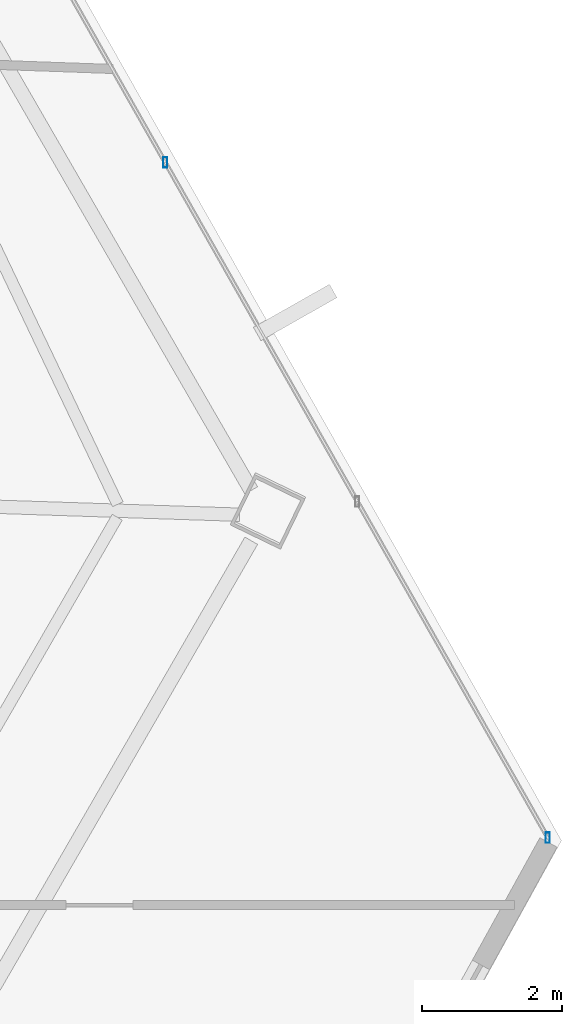
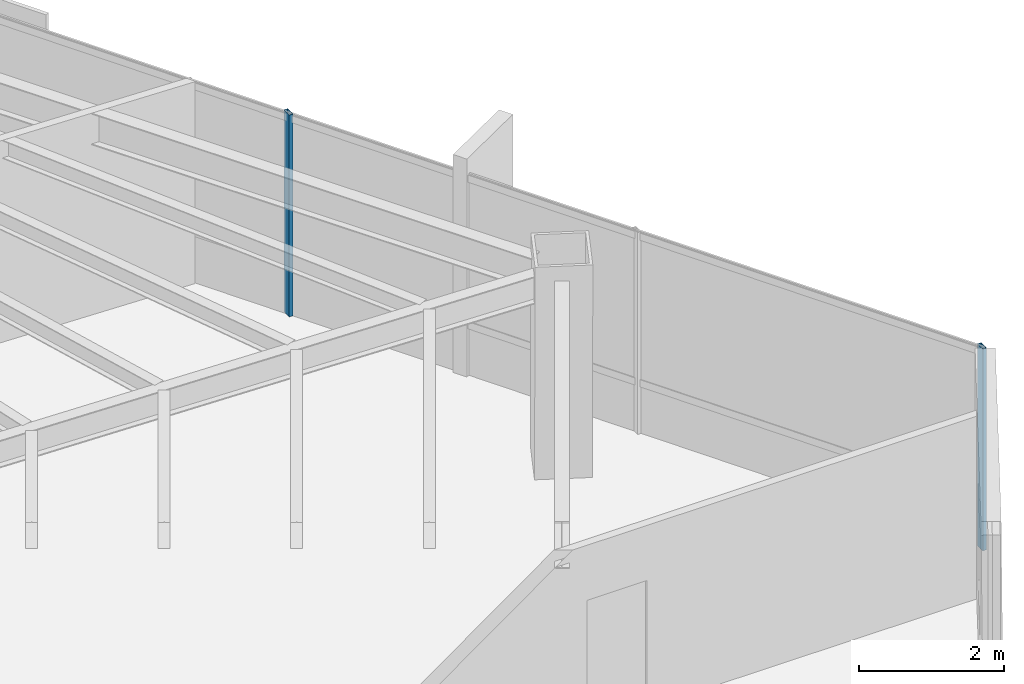
# One storey, part 24 of 41: 2 members, 1 element without a shape of its own.
"""IFC4 building model written with IfcOpenShell, lengths in metres."""

from ifc_helpers import new_model, si_unit, direction, frame, origin, origin_2d, place, context, subcontext, project, spatial, hollow_rectangle, extrude, source, transform, mapped, material, material_profile, profile_set, type_object, type_shapes, element, aggregate, save


model = new_model("IFC4")

# Units and contexts
model_context = context("Model", 3, precision=1e-05, world=origin(), true_north=direction((0.0, 1.0)))
body_context = subcontext(model_context, "Body", "Model", "MODEL_VIEW")
ifc_project = project(units=[si_unit("LENGTHUNIT", "METRE"), si_unit("AREAUNIT", "SQUARE_METRE"), si_unit("VOLUMEUNIT", "CUBIC_METRE"), si_unit("PLANEANGLEUNIT", "RADIAN"), si_unit("MASSUNIT", "GRAM", prefix="KILO")], contexts=[model_context])

# Site, building, storey
site_placement = place(None, origin())
site = spatial("IfcSite", under=ifc_project, at=site_placement, CompositionType="ELEMENT")
building_placement = place(site_placement, origin())
building = spatial("IfcBuilding", under=site, at=building_placement, Name="Caelisora Broadcast Tower", CompositionType="ELEMENT")
storey_placement = place(building_placement, frame((0.0, 0.0, 209.60009765625)))
storey = spatial("IfcBuildingStorey", under=building, at=storey_placement, Name="L55", CompositionType="ELEMENT", Elevation=209.60009765625)

# Curtain wall, members
ifc_material_1 = material(Name="Unitised Aluminium and Low-E Glass Curtain Wall", Category="glass")
curtain_wall_type = type_object("IfcCurtainWallType", Name="CW-Z4", PredefinedType="NOTDEFINED", material=ifc_material_1)
curtain_wall_placement = place(storey_placement, origin())
curtain_wall = element("IfcCurtainWall", 1, at=curtain_wall_placement, inside=storey, type_object=curtain_wall_type, Name="L55 curtain wall CW-Z4", PredefinedType="NOTDEFINED")
ifc_material_2 = material(Name="Aluminium 6063-T6 Anodised Terracotta Bronze", Category="aluminium")
ifc_material_profile = material_profile(ifc_material_2, hollow_rectangle(XDim=0.06005859375, YDim=0.14990234375, WallThickness=0.00341796875, at=origin_2d()), Name="Aluminium 6063-T6 Anodised Terracotta Bronze")
ifc_profile_set = profile_set([ifc_material_profile], Name="Aluminium 6063-T6 Anodised Terracotta Bronze")
member_type = type_object("IfcMemberType", Name="CWM-03", PredefinedType="MULLION", material=ifc_profile_set)
shared_shape = source(origin(), body_context, "Body", "SweptSolid", [
    extrude(hollow_rectangle(XDim=0.06005859375, YDim=0.14990234375, WallThickness=0.00341796875, at=origin_2d()), origin(), (0.0, 0.0, 1.0), 3.39990234375),
])
type_shapes(member_type, [shared_shape])
member_1_placement = place(storey_placement, frame((58.5703125, 21.9775390625, 0.0), z_axis=(0.0, 0.0, 1.0), x_axis=(1.0, 0.0, 0.0)))
member_1 = element("IfcMember", 2, at=member_1_placement, type_object=member_type, Name="L55-CW-B03 mullion #1", PredefinedType="MULLION", context=body_context, shape_type="MappedRepresentation", body=[
    mapped(shared_shape, transform((0.0, 0.0, 0.0), scale=1.0)),
])
member_2_placement = place(storey_placement, frame((64.04443359375, 12.31640625, 0.0), z_axis=(0.0, 0.0, 1.0), x_axis=(1.0, 0.0, 0.0)))
member_2 = element("IfcMember", 3, at=member_2_placement, type_object=member_type, Name="L55-CW-B03 mullion #3", PredefinedType="MULLION", context=body_context, shape_type="MappedRepresentation", body=[
    mapped(shared_shape, transform((0.0, 0.0, 0.0), scale=1.0)),
])
aggregate(curtain_wall, [member_1, member_2])

save(model, "model.ifc")
